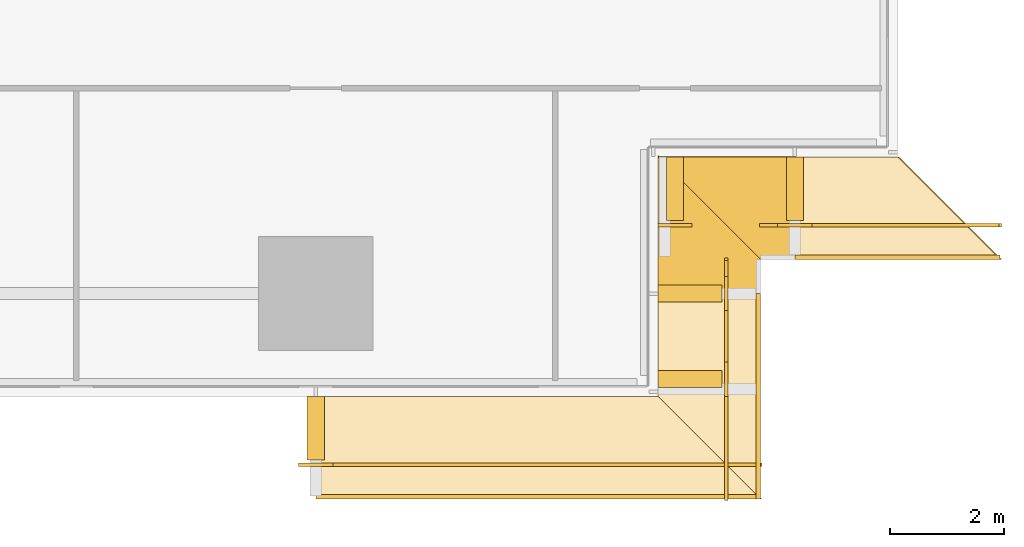
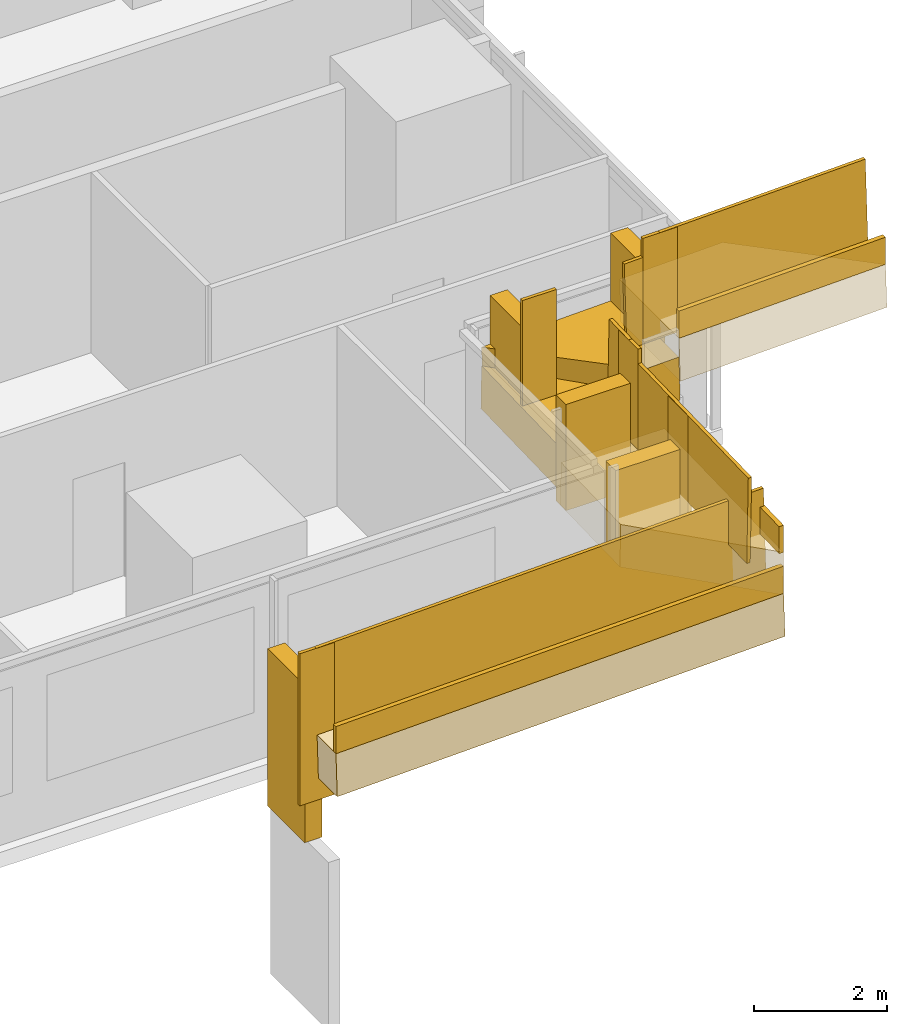
# One storey, part 27 of 29: 13 coverings, 10 railings.
"""IFC4 building model written with IfcOpenShell, lengths in metres."""

from ifc_helpers import new_model, si_unit, direction, frame, origin, origin_2d, place, context, subcontext, project, spatial, polyline, rectangle, outline, extrude, material, layer, layer_set, type_object, element, save


model = new_model("IFC4")

# Units and contexts
model_context = context("Model", 3, precision=1e-05, world=origin(), true_north=direction((0.0, 1.0)))
body_context = subcontext(model_context, "Body", "Model", "MODEL_VIEW")
ifc_project = project(units=[si_unit("LENGTHUNIT", "METRE"), si_unit("AREAUNIT", "SQUARE_METRE"), si_unit("VOLUMEUNIT", "CUBIC_METRE"), si_unit("PLANEANGLEUNIT", "RADIAN"), si_unit("MASSUNIT", "GRAM", prefix="KILO")], contexts=[model_context])

# Site, building, storey
site_placement = place(None, origin())
site = spatial("IfcSite", under=ifc_project, at=site_placement, CompositionType="ELEMENT")
building_placement = place(site_placement, origin())
building = spatial("IfcBuilding", under=site, at=building_placement, Name="Saffron Gate Tower", CompositionType="ELEMENT")
storey_placement = place(building_placement, frame((0.0, 0.0, 106.050048828125)))
storey = spatial("IfcBuildingStorey", under=building, at=storey_placement, Name="L24", CompositionType="ELEMENT", Elevation=106.050048828125)

# Coverings
ifc_material = material(Name="Timber, thermally modified ash", Category="wood")
ifc_layer_1 = layer(ifc_material, 0.800048828125)
ifc_layer_set_1 = layer_set([ifc_layer_1], Name="LD1 ledge timber")
covering_type_1 = type_object("IfcCoveringType", Name="LD1 ledge timber", PredefinedType="CLADDING", material=ifc_layer_set_1)
covering_1_placement = place(storey_placement, frame((117.0, 30.0, 1.2265625), z_axis=(-0.028789477025, -2.391759e-05, 0.999585496814), x_axis=(0.9995854971, 1.72e-10, 0.028789477033)))
element("IfcCovering", 1, at=covering_1_placement, inside=storey, type_object=covering_type_1, Name="LEDGE", PredefinedType="CLADDING", context=body_context, shape_type="SweptSolid", body=[
    extrude(outline(polyline([(0.0, 0.0), (6.002489288687248, 8.470329472543003e-22), (7.80328207139786, -1.8000488299785034), (-3.0879623774719253e-10, -1.8000488276101398), (0.0, 0.0)])), origin(), (0.0, 0.0, -1.0), 0.800048828125),
])
covering_2_placement = place(storey_placement, frame((123.0, 30.0, 2.2568359375), z_axis=(4.5191264e-05, -0.028786835276, 0.999585572161), x_axis=(2.041e-09, 0.999585573182, 0.028786835305)))
element("IfcCovering", 2, at=covering_2_placement, inside=storey, type_object=covering_type_1, Name="LEDGE", PredefinedType="CLADDING", context=body_context, shape_type="SweptSolid", body=[
    extrude(outline(polyline([(0.0, 0.0), (1.8007927832406818, 0.0), (1.8007927869153135, -1.800048826286925), (-1.8007998076020133, -1.8000488373153904), (0.0, 0.0)])), origin(), (0.0, 0.0, -1.0), 0.800048828125),
])
covering_3_placement = place(storey_placement, frame((123.0, 31.800048828125, 2.56591796875), z_axis=(-2.8677152e-05, -0.028798988267, 0.999585222706), x_axis=(-6.17e-10, 0.999585223117, 0.028798988279)))
element("IfcCovering", 3, at=covering_3_placement, inside=storey, type_object=covering_type_1, Name="LEDGE", PredefinedType="CLADDING", context=body_context, shape_type="SweptSolid", body=[
    extrude(outline(polyline([(0.0, 0.0), (2.400896693585025, 4.235164736271502e-22), (0.6001039103565923, -1.8000488292351675), (-1.1098572600196767e-09, -1.8000488273848385), (0.0, 0.0)])), origin(), (0.0, 0.0, -1.0), 0.800048828125),
])
covering_4_placement = place(storey_placement, frame((123.0, 34.199951171875, 2.97802734375), z_axis=(-0.028798988267, -2.8677152e-05, 0.999585222706), x_axis=(0.999585223117, -6.17e-10, 0.028798988279)))
element("IfcCovering", 4, at=covering_4_placement, inside=storey, type_object=covering_type_1, Name="LEDGE", PredefinedType="CLADDING", context=body_context, shape_type="SweptSolid", body=[
    extrude(outline(polyline([(0.0, 0.0), (2.400896693585025, -4.235164736271502e-22), (2.400896694694882, -1.8000488273848385), (1.8007927832284332, -1.8000488292351673), (0.0, 0.0)])), origin(), (0.0, 0.0, -1.0), 0.800048828125),
])
covering_5_placement = place(storey_placement, frame((125.39990234375, 34.199951171875, 3.39013671875), z_axis=(-0.028741681402, 0.0, 0.999586872538), x_axis=(0.999586872538, 0.0, 0.028741681402)))
element("IfcCovering", 5, at=covering_5_placement, inside=storey, type_object=covering_type_1, Name="LEDGE", PredefinedType="CLADDING", context=body_context, shape_type="SweptSolid", body=[
    extrude(outline(polyline([(0.0, 0.0), (1.8007927850779974, 0.0), (3.601585570155995, -1.800048828125), (0.0, -1.800048828125), (0.0, 0.0)])), origin(), (0.0, 0.0, -1.0), 0.800048828125),
])
ifc_layer_2 = layer(ifc_material, 0.080078125)
ifc_layer_set_2 = layer_set([ifc_layer_2], Name="LD2 ledge planter trough")
covering_type_2 = type_object("IfcCoveringType", Name="LD2 ledge planter trough", PredefinedType="CLADDING", material=ifc_layer_set_2)
covering_6_placement = place(storey_placement, frame((117.0, 28.199951171875, 1.2265625), z_axis=(0.0, -1.0, 0.0), x_axis=(0.999585655924, 0.0, 0.028783962047)))
element("IfcCovering", 6, at=covering_6_placement, inside=storey, type_object=covering_type_2, Name="LEDGE planter trough", PredefinedType="CLADDING", context=body_context, shape_type="SweptSolid", body=[
    extrude(outline(polyline([(0.0, 0.0), (7.803282071825423, 2.7755575615628914e-17), (7.817674052849086, 0.4997928279619612), (0.014391981023662846, 0.4997928279619612), (0.0, 0.0)])), origin(), (0.0, 0.0, -1.0), 0.080078125),
])
covering_7_placement = place(storey_placement, frame((124.800048828125, 28.199951171875, 2.204833984375), z_axis=(1.0, 0.0, 0.0), x_axis=(0.0, 0.99958492274, 0.028809412191)))
element("IfcCovering", 7, at=covering_7_placement, inside=storey, type_object=covering_type_2, Name="LEDGE planter trough", PredefinedType="CLADDING", context=body_context, shape_type="SweptSolid", body=[
    extrude(outline(polyline([(0.0, 0.0), (3.601592595435983, 0.0), (3.6159973015313485, 0.4997924613700232), (0.014404706095365512, 0.4997924613700232), (0.0, 0.0)])), origin(), (0.0, 0.0, -1.0), 0.080078125),
])
covering_8_placement = place(storey_placement, frame((125.39990234375, 32.39990234375, 3.39013671875), z_axis=(0.0, -1.0, 0.0), x_axis=(0.999586872538, 0.0, 0.028741681402)))
element("IfcCovering", 8, at=covering_8_placement, inside=storey, type_object=covering_type_2, Name="LEDGE planter trough", PredefinedType="CLADDING", context=body_context, shape_type="SweptSolid", body=[
    extrude(outline(polyline([(0.0, 0.0), (3.601585570155995, 0.0), (3.6159564108570694, 0.49979343626896944), (0.014370840701074394, 0.4997934362689694), (0.0, 0.0)])), origin(), (0.0, 0.0, -1.0), 0.080078125),
])
ifc_layer_3 = layer(ifc_material, 0.300048828125)
ifc_layer_set_3 = layer_set([ifc_layer_3], Name="LD3 ledge riser fin")
covering_type_3 = type_object("IfcCoveringType", Name="LD3 ledge riser fin", PredefinedType="CLADDING", material=ifc_layer_set_3)
covering_9_placement = place(storey_placement, frame((117.0, 29.43994140625, -0.77392578125), z_axis=(0.0, 0.0, 1.0), x_axis=(1.0, 0.0, 0.0)))
element("IfcCovering", 9, at=covering_9_placement, inside=storey, type_object=covering_type_3, Name="LEDGE riser fin", PredefinedType="CLADDING", context=body_context, shape_type="SweptSolid", body=[
    extrude(rectangle(XDim=0.300048828125, YDim=1.1201171875, at=origin_2d()), origin(), (0.0, 0.0, 1.0), 2.900390625),
])
covering_10_placement = place(storey_placement, frame((123.56005859375, 30.300048828125, 0.599609375), z_axis=(0.0, 0.0, 1.0), x_axis=(0.0, 1.0, 0.0)))
element("IfcCovering", 10, at=covering_10_placement, inside=storey, type_object=covering_type_3, Name="LEDGE riser fin", PredefinedType="CLADDING", context=body_context, shape_type="SweptSolid", body=[
    extrude(rectangle(XDim=0.300048828125, YDim=1.1201171875, at=origin_2d()), origin(), (0.0, 0.0, 1.0), 2.557373046875),
])
covering_11_placement = place(storey_placement, frame((123.56005859375, 31.800048828125, 1.5087890625), z_axis=(0.0, 0.0, 1.0), x_axis=(0.0, 1.0, 0.0)))
element("IfcCovering", 11, at=covering_11_placement, inside=storey, type_object=covering_type_3, Name="LEDGE riser fin", PredefinedType="CLADDING", context=body_context, shape_type="SweptSolid", body=[
    extrude(rectangle(XDim=0.300048828125, YDim=1.1201171875, at=origin_2d()), origin(), (0.0, 0.0, 1.0), 1.957275390625),
])
for number, where, z_axis, x_axis, name in (
    (12, (123.300048828125, 33.639892578125, 1.8349609375), (0.0, 0.0, 1.0), (1.0, 0.0, 0.0), "LEDGE riser fin"),
    (13, (125.39990234375, 33.639892578125, 2.2470703125), (0.0, 0.0, 1.0), (1.0, 0.0, 0.0), "LEDGE riser fin"),
):
    element("IfcCovering", number, at=place(storey_placement, frame(where, z_axis=z_axis, x_axis=x_axis)), inside=storey, type_object=covering_type_3, Name=name, PredefinedType="CLADDING", context=body_context, shape_type="SweptSolid", body=[
        extrude(rectangle(XDim=0.300048828125, YDim=1.1201171875, at=origin_2d()), origin(), (0.0, 0.0, 1.0), 2.04296875),
    ])

# Railings
railing_type = type_object("IfcRailingType", Name="LG1 ledge balustrade", PredefinedType="BALUSTRADE", material=ifc_material)
railing_1_placement = place(storey_placement, frame((117.0, 28.800048828125, 1.2265625)))
element("IfcRailing", 14, at=railing_1_placement, inside=storey, type_object=railing_type, Name="LEDGE BALUSTRADE", PredefinedType="BALUSTRADE", context=body_context, shape_type="SweptSolid", body=[
    extrude(rectangle(XDim=0.06005859375, YDim=1.60009765625, at=origin_2d()), frame((0.0, 0.0, 0.800048828125), z_axis=(0.999585655924, 0.0, 0.028783962047), x_axis=(0.0, 1.0, 0.0)), (0.0, 0.0, 1.0), 7.80322265625),
])
railing_2_placement = place(storey_placement, frame((116.699951171875, 28.800048828125, 0.026123046875)))
element("IfcRailing", 15, at=railing_2_placement, inside=storey, type_object=railing_type, Name="LEDGE BALUSTRADE", PredefinedType="BALUSTRADE", context=body_context, shape_type="SweptSolid", body=[
    extrude(rectangle(XDim=0.06005859375, YDim=2.80029296875, at=origin_2d()), frame((0.0, 0.0, 1.400146484375), z_axis=(1.0, 0.0, 0.0), x_axis=(0.0, 1.0, 0.0)), (0.0, 0.0, 1.0), 0.60009765625),
])
railing_3_placement = place(storey_placement, frame((124.199951171875, 28.199951171875, 2.204833984375)))
element("IfcRailing", 16, at=railing_3_placement, inside=storey, type_object=railing_type, Name="LEDGE BALUSTRADE", PredefinedType="BALUSTRADE", context=body_context, shape_type="SweptSolid", body=[
    extrude(rectangle(XDim=0.06005859375, YDim=1.60009765625, at=origin_2d()), frame((0.0, 0.0, 0.800048828125), z_axis=(0.0, 0.99958492274, 0.028809412191), x_axis=(-1.0, 0.0, 0.0)), (0.0, 0.0, 1.0), 3.6015625),
])
railing_4_placement = place(storey_placement, frame((124.199951171875, 30.0, 1.3994140625)))
element("IfcRailing", 17, at=railing_4_placement, inside=storey, type_object=railing_type, Name="LEDGE BALUSTRADE", PredefinedType="BALUSTRADE", context=body_context, shape_type="SweptSolid", body=[
    extrude(rectangle(XDim=0.06005859375, YDim=2.45751953125, at=origin_2d()), frame((0.0, 0.0, 1.228759765625), z_axis=(0.0, 1.0, 0.0), x_axis=(-1.0, 0.0, 0.0)), (0.0, 0.0, 1.0), 0.60009765625),
])
railing_5_placement = place(storey_placement, frame((124.199951171875, 31.800048828125, 2.56591796875)))
element("IfcRailing", 18, at=railing_5_placement, inside=storey, type_object=railing_type, Name="LEDGE BALUSTRADE", PredefinedType="BALUSTRADE", context=body_context, shape_type="SweptSolid", body=[
    extrude(rectangle(XDim=0.06005859375, YDim=1.60009765625, at=origin_2d()), frame((0.0, 0.0, 0.800048828125), z_axis=(0.0, 0.999582742162, 0.028884971385), x_axis=(-1.0, 0.0, 0.0)), (0.0, 0.0, 1.0), 0.60009765625),
])
railing_6_placement = place(storey_placement, frame((124.199951171875, 31.5, 2.30859375)))
element("IfcRailing", 19, at=railing_6_placement, inside=storey, type_object=railing_type, Name="LEDGE BALUSTRADE", PredefinedType="BALUSTRADE", context=body_context, shape_type="SweptSolid", body=[
    extrude(rectangle(XDim=0.06005859375, YDim=1.857177734375, at=origin_2d()), frame((0.0, 0.0, 0.9287109375), z_axis=(0.0, 1.0, 0.0), x_axis=(-1.0, 0.0, 0.0)), (0.0, 0.0, 1.0), 0.60009765625),
])
railing_7_placement = place(storey_placement, frame((124.800048828125, 33.0, 3.02978515625)))
element("IfcRailing", 20, at=railing_7_placement, inside=storey, type_object=railing_type, Name="LEDGE BALUSTRADE", PredefinedType="BALUSTRADE", context=body_context, shape_type="SweptSolid", body=[
    extrude(rectangle(XDim=0.06005859375, YDim=1.60009765625, at=origin_2d()), frame((0.0, 0.0, 0.800048828125), z_axis=(0.999582742162, 0.0, 0.028884971385), x_axis=(0.0, 1.0, 0.0)), (0.0, 0.0, 1.0), 0.60009765625),
])
railing_8_placement = place(storey_placement, frame((123.0, 33.0, 2.635009765625)))
element("IfcRailing", 21, at=railing_8_placement, inside=storey, type_object=railing_type, Name="LEDGE BALUSTRADE", PredefinedType="BALUSTRADE", context=body_context, shape_type="SweptSolid", body=[
    extrude(rectangle(XDim=0.06005859375, YDim=1.943115234375, at=origin_2d()), frame((0.0, 0.0, 0.9716796875), z_axis=(1.0, 0.0, 0.0), x_axis=(0.0, 1.0, 0.0)), (0.0, 0.0, 1.0), 0.60009765625),
])
railing_9_placement = place(storey_placement, frame((125.39990234375, 33.0, 3.39013671875)))
element("IfcRailing", 22, at=railing_9_placement, inside=storey, type_object=railing_type, Name="LEDGE BALUSTRADE", PredefinedType="BALUSTRADE", context=body_context, shape_type="SweptSolid", body=[
    extrude(rectangle(XDim=0.06005859375, YDim=1.60009765625, at=origin_2d()), frame((0.0, 0.0, 0.800048828125), z_axis=(0.999586872538, 0.0, 0.028741681402), x_axis=(0.0, 1.0, 0.0)), (0.0, 0.0, 1.0), 3.6015625),
])
railing_10_placement = place(storey_placement, frame((125.10009765625, 33.0, 3.047119140625)))
element("IfcRailing", 23, at=railing_10_placement, inside=storey, type_object=railing_type, Name="LEDGE BALUSTRADE", PredefinedType="BALUSTRADE", context=body_context, shape_type="SweptSolid", body=[
    extrude(rectangle(XDim=0.06005859375, YDim=1.943115234375, at=origin_2d()), frame((0.0, 0.0, 0.9716796875), z_axis=(1.0, 0.0, 0.0), x_axis=(0.0, 1.0, 0.0)), (0.0, 0.0, 1.0), 0.599853515625),
])

save(model, "model.ifc")
